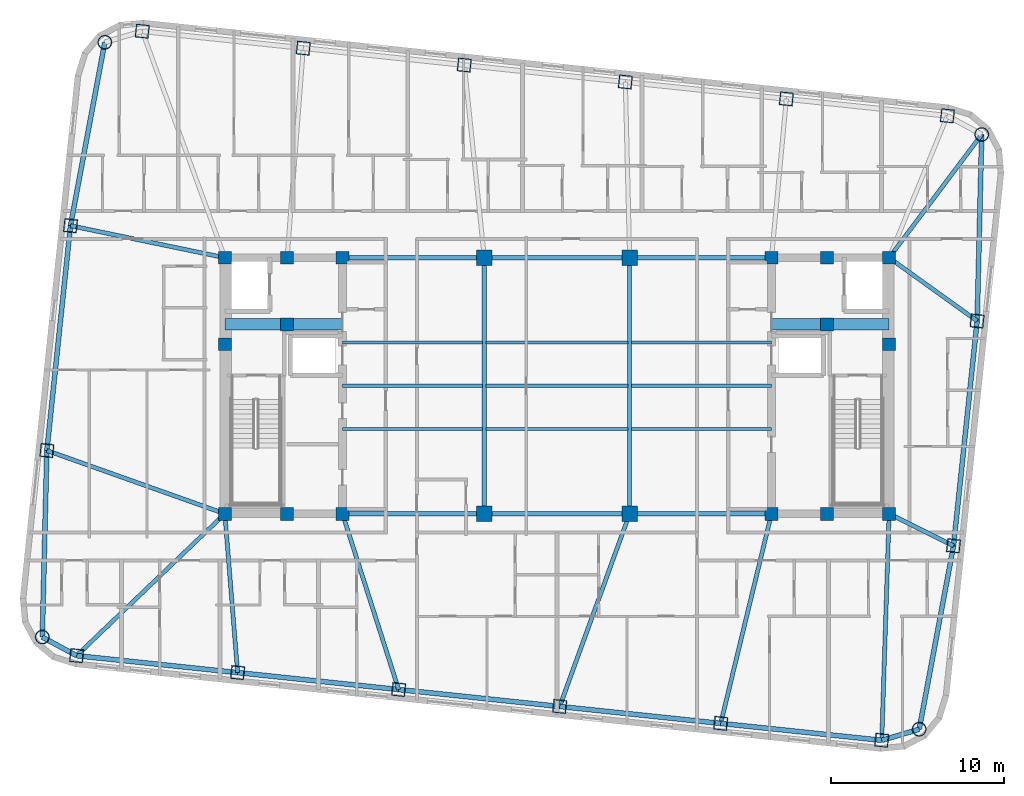
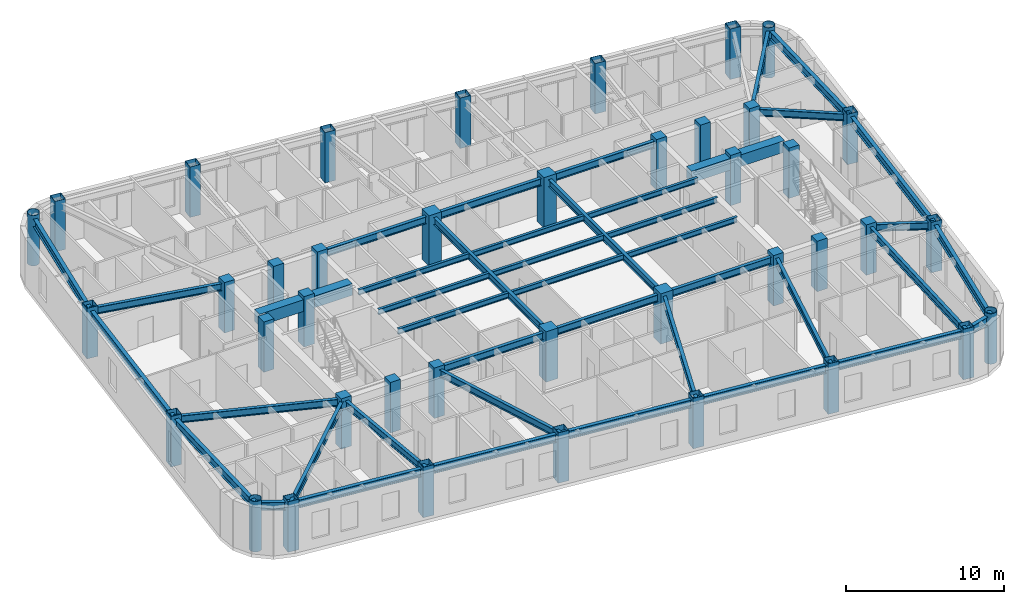
# One storey, part 1 of 11: 43 beams, 40 columns.
"""IFC4 building model written with IfcOpenShell, lengths in metres."""

from ifc_helpers import new_model, si_unit, direction, frame, origin, origin_2d, place, context, subcontext, project, spatial, rectangle, hollow_rectangle, hollow_circle, i_section, extrude, material, material_profile, profile_set, type_object, element, save


model = new_model("IFC4")

# Units and contexts
model_context = context("Model", 3, precision=1e-05, world=origin(), true_north=direction((0.0, 1.0)))
body_context = subcontext(model_context, "Body", "Model", "MODEL_VIEW")
ifc_project = project(units=[si_unit("LENGTHUNIT", "METRE"), si_unit("AREAUNIT", "SQUARE_METRE"), si_unit("VOLUMEUNIT", "CUBIC_METRE"), si_unit("PLANEANGLEUNIT", "RADIAN"), si_unit("MASSUNIT", "GRAM", prefix="KILO")], contexts=[model_context])

# Site, building, storey
site_placement = place(None, origin())
site = spatial("IfcSite", under=ifc_project, at=site_placement, CompositionType="ELEMENT")
building_placement = place(site_placement, origin())
building = spatial("IfcBuilding", under=site, at=building_placement, Name="Voryun Gate Residences", CompositionType="ELEMENT")
storey_placement = place(building_placement, frame((0.0, 0.0, 299.0)))
storey = spatial("IfcBuildingStorey", under=building, at=storey_placement, Name="L74", CompositionType="ELEMENT", Elevation=299.0)

# Columns
ifc_material_1 = material(Name="Concrete C50/60", Category="concrete")
ifc_material_profile_1 = material_profile(ifc_material_1, rectangle(XDim=0.75, YDim=0.75, at=origin_2d()), Name="RC-750x750")
ifc_profile_set_1 = profile_set([ifc_material_profile_1], Name="Concrete C50/60")
column_type_1 = type_object("IfcColumnType", Name="COL_CORE_750", PredefinedType="COLUMN", material=ifc_profile_set_1)
for number, where, z_axis, x_axis, name in (
    (1, (-19.199951171875, -7.39990234375, 0.0), (0.0, 0.0, 1.0), (1.0, 0.0, 0.0), "L74 Core boundary column WC-SW"),
    (2, (-19.199951171875, 2.39990234375, 0.0), (0.0, 0.0, 1.0), (1.0, 0.0, 0.0), "L74 Core boundary column WC-MW"),
    (3, (-19.199951171875, 7.39990234375, 0.0), (0.0, 0.0, 1.0), (1.0, 0.0, 0.0), "L74 Core boundary column WC-NW"),
    (4, (-15.60009765625, -7.39990234375, 0.0), (0.0, 0.0, 1.0), (1.0, 0.0, 0.0), "L74 Core boundary column WC-SM"),
    (5, (-15.60009765625, 7.39990234375, 0.0), (0.0, 0.0, 1.0), (1.0, 0.0, 0.0), "L74 Core boundary column WC-NM"),
    (6, (-12.39990234375, -7.39990234375, 0.0), (0.0, 0.0, 1.0), (1.0, 0.0, 0.0), "L74 Core boundary column WC-SE"),
    (7, (-15.60009765625, 3.550048828125, 0.0), (0.0, 0.0, 1.0), (1.0, 0.0, 0.0), "L74 Core boundary column WC-MM"),
    (8, (-12.39990234375, 7.39990234375, 0.0), (0.0, 0.0, 1.0), (1.0, 0.0, 0.0), "L74 Core boundary column WC-NE"),
    (9, (12.39990234375, -7.39990234375, 0.0), (0.0, 0.0, 1.0), (1.0, 0.0, 0.0), "L74 Core boundary column EC-SW"),
    (10, (15.60009765625, 3.550048828125, 0.0), (0.0, 0.0, 1.0), (1.0, 0.0, 0.0), "L74 Core boundary column EC-MM"),
    (11, (12.39990234375, 7.39990234375, 0.0), (0.0, 0.0, 1.0), (1.0, 0.0, 0.0), "L74 Core boundary column EC-NW"),
    (12, (15.60009765625, -7.39990234375, 0.0), (0.0, 0.0, 1.0), (1.0, 0.0, 0.0), "L74 Core boundary column EC-SM"),
    (13, (15.60009765625, 7.39990234375, 0.0), (0.0, 0.0, 1.0), (1.0, 0.0, 0.0), "L74 Core boundary column EC-NM"),
    (14, (19.199951171875, -7.39990234375, 0.0), (0.0, 0.0, 1.0), (1.0, 0.0, 0.0), "L74 Core boundary column EC-SE"),
    (15, (19.199951171875, 2.39990234375, 0.0), (0.0, 0.0, 1.0), (1.0, 0.0, 0.0), "L74 Core boundary column EC-ME"),
    (16, (19.199951171875, 7.39990234375, 0.0), (0.0, 0.0, 1.0), (1.0, 0.0, 0.0), "L74 Core boundary column EC-NE"),
):
    element("IfcColumn", number, at=place(storey_placement, frame(where, z_axis=z_axis, x_axis=x_axis)), inside=storey, type_object=column_type_1, Name=name, PredefinedType="COLUMN", context=body_context, shape_type="SweptSolid", body=[
        extrude(rectangle(XDim=0.75, YDim=0.75, at=origin_2d()), origin(), (0.0, 0.0, 1.0), 3.89990234375),
    ])
ifc_material_2 = material(Name="Concrete C50/60", Category="concrete")
ifc_material_profile_2 = material_profile(ifc_material_2, rectangle(XDim=0.89990234375, YDim=0.89990234375, at=origin_2d()), Name="RC-900x900")
ifc_profile_set_2 = profile_set([ifc_material_profile_2], Name="Concrete C50/60")
column_type_2 = type_object("IfcColumnType", Name="COL_CORE_900", PredefinedType="COLUMN", material=ifc_profile_set_2)
for number, where, z_axis, x_axis, name in (
    (17, (-4.199951171875, -7.39990234375, 0.0), (0.0, 0.0, 1.0), (1.0, 0.0, 0.0), "L74 Interior spine column SP-WS"),
    (18, (-4.199951171875, 7.39990234375, 0.0), (0.0, 0.0, 1.0), (1.0, 0.0, 0.0), "L74 Interior spine column SP-WN"),
    (19, (4.199951171875, -7.39990234375, 0.0), (0.0, 0.0, 1.0), (1.0, 0.0, 0.0), "L74 Interior spine column SP-ES"),
    (20, (4.199951171875, 7.39990234375, 0.0), (0.0, 0.0, 1.0), (1.0, 0.0, 0.0), "L74 Interior spine column SP-EN"),
):
    element("IfcColumn", number, at=place(storey_placement, frame(where, z_axis=z_axis, x_axis=x_axis)), inside=storey, type_object=column_type_2, Name=name, PredefinedType="COLUMN", context=body_context, shape_type="SweptSolid", body=[
        extrude(rectangle(XDim=0.89990234375, YDim=0.89990234375, at=origin_2d()), origin(), (0.0, 0.0, 1.0), 3.89990234375),
    ])
ifc_material_3 = material(Name="Steel SM355", Category="steel")
ifc_material_profile_3 = material_profile(ifc_material_3, hollow_circle(Radius=0.39990234375, WallThickness=0.028076171875, at=origin_2d()), Name="CHS-800x28")
ifc_profile_set_3 = profile_set([ifc_material_profile_3], Name="Steel SM355")
column_type_3 = type_object("IfcColumnType", Name="COL_CRN_800", PredefinedType="COLUMN", material=ifc_profile_set_3)
for number, where, z_axis, x_axis, name in (
    (21, (20.939453125, -19.855224609375, 0.0), (0.0, 0.0, 1.0), (0.994521895368, -0.104528463268, 0.0), "L74 Exoskeleton column CSE"),
    (22, (24.55322265625, 14.52734375, 0.0), (0.0, 0.0, 1.0), (0.994521895368, -0.104528463268, 0.0), "L74 Exoskeleton column CNE"),
    (23, (-26.139404296875, 19.855224609375, 0.0), (0.0, 0.0, 1.0), (0.994521895368, -0.104528463268, 0.0), "L74 Exoskeleton column CNW"),
    (24, (-29.753173828125, -14.52734375, 0.0), (0.0, 0.0, 1.0), (0.994521895368, -0.104528463268, 0.0), "L74 Exoskeleton column CSW"),
):
    element("IfcColumn", number, at=place(storey_placement, frame(where, z_axis=z_axis, x_axis=x_axis)), inside=storey, type_object=column_type_3, Name=name, PredefinedType="COLUMN", context=body_context, shape_type="SweptSolid", body=[
        extrude(hollow_circle(Radius=0.39990234375, WallThickness=0.028076171875, at=origin_2d()), origin(), (0.0, 0.0, 1.0), 3.89990234375),
    ])
ifc_material_4 = material(Name="Steel SM355", Category="steel")
ifc_material_profile_4 = material_profile(ifc_material_4, hollow_rectangle(XDim=0.75, YDim=0.75, WallThickness=0.02490234375, at=origin_2d()), Name="BOX-750x750x25")
ifc_profile_set_4 = profile_set([ifc_material_profile_4], Name="Steel SM355")
column_type_4 = type_object("IfcColumnType", Name="COL_EXO_B5", PredefinedType="COLUMN", material=ifc_profile_set_4)
for number, where, z_axis, x_axis, name in (
    (25, (-27.76904296875, -15.6044921875, 0.0), (0.0, 0.0, 1.0), (0.994521895368, -0.104528463268, 0.0), "L74 Exoskeleton column S1"),
    (26, (-18.460205078125, -16.5830078125, 0.0), (0.0, 0.0, 1.0), (0.994521895368, -0.104528463268, 0.0), "L74 Exoskeleton column S2"),
    (27, (-9.151611328125, -17.561279296875, 0.0), (0.0, 0.0, 1.0), (0.994521895368, -0.104528463268, 0.0), "L74 Exoskeleton column S3"),
    (28, (0.1572265625, -18.539794921875, 0.0), (0.0, 0.0, 1.0), (0.994521895368, -0.104528463268, 0.0), "L74 Exoskeleton column S4"),
    (29, (9.4658203125, -19.51806640625, 0.0), (0.0, 0.0, 1.0), (0.994521895368, -0.104528463268, 0.0), "L74 Exoskeleton column S5"),
    (30, (18.774658203125, -20.49658203125, 0.0), (0.0, 0.0, 1.0), (0.994521895368, -0.104528463268, 0.0), "L74 Exoskeleton column S6"),
    (31, (22.922607421875, -9.25244140625, 0.0), (0.0, 0.0, 1.0), (0.994521895368, -0.104528463268, 0.0), "L74 Exoskeleton column E1"),
    (32, (24.28857421875, 3.743896484375, 0.0), (0.0, 0.0, 1.0), (0.994521895368, -0.104528463268, 0.0), "L74 Exoskeleton column E2"),
    (33, (22.569091796875, 15.6044921875, 0.0), (0.0, 0.0, 1.0), (0.994521895368, -0.104528463268, 0.0), "L74 Exoskeleton column N1"),
    (34, (13.26025390625, 16.5830078125, 0.0), (0.0, 0.0, 1.0), (0.994521895368, -0.104528463268, 0.0), "L74 Exoskeleton column N2"),
    (35, (3.95166015625, 17.561279296875, 0.0), (0.0, 0.0, 1.0), (0.994521895368, -0.104528463268, 0.0), "L74 Exoskeleton column N3"),
    (36, (-5.357177734375, 18.539794921875, 0.0), (0.0, 0.0, 1.0), (0.994521895368, -0.104528463268, 0.0), "L74 Exoskeleton column N4"),
    (37, (-14.666015625, 19.51806640625, 0.0), (0.0, 0.0, 1.0), (0.994521895368, -0.104528463268, 0.0), "L74 Exoskeleton column N5"),
    (38, (-23.974609375, 20.49658203125, 0.0), (0.0, 0.0, 1.0), (0.994521895368, -0.104528463268, 0.0), "L74 Exoskeleton column N6"),
    (39, (-28.12255859375, 9.25244140625, 0.0), (0.0, 0.0, 1.0), (0.994521895368, -0.104528463268, 0.0), "L74 Exoskeleton column W1"),
    (40, (-29.488525390625, -3.743896484375, 0.0), (0.0, 0.0, 1.0), (0.994521895368, -0.104528463268, 0.0), "L74 Exoskeleton column W2"),
):
    element("IfcColumn", number, at=place(storey_placement, frame(where, z_axis=z_axis, x_axis=x_axis)), inside=storey, type_object=column_type_4, Name=name, PredefinedType="COLUMN", context=body_context, shape_type="SweptSolid", body=[
        extrude(hollow_rectangle(XDim=0.75, YDim=0.75, WallThickness=0.02490234375, at=origin_2d()), origin(), (0.0, 0.0, 1.0), 3.89990234375),
    ])

# Beams
ifc_material_5 = material(Name="Concrete C60/75", Category="concrete")
ifc_material_profile_5 = material_profile(ifc_material_5, rectangle(XDim=0.64990234375, YDim=0.89990234375, at=origin_2d()), Name="RC-650x900")
ifc_profile_set_5 = profile_set([ifc_material_profile_5], Name="Concrete C60/75")
beam_type_1 = type_object("IfcBeamType", Name="BM_COUP_RC900", PredefinedType="LINTEL", material=ifc_profile_set_5)
for number, where, z_axis, x_axis, name in (
    (41, (-19.199951171875, 3.550048828125, 3.18505859375), (1.0, 0.0, 0.0), (0.0, 1.0, 0.0), "BM-L74-WC1"),
    (42, (12.39990234375, 3.550048828125, 3.18505859375), (1.0, 0.0, 0.0), (0.0, 1.0, 0.0), "BM-L74-EC1"),
):
    element("IfcBeam", number, at=place(storey_placement, frame(where, z_axis=z_axis, x_axis=x_axis)), inside=storey, type_object=beam_type_1, Name=name, PredefinedType="LINTEL", context=body_context, shape_type="SweptSolid", body=[
        extrude(rectangle(XDim=0.64990234375, YDim=0.89990234375, at=origin_2d()), origin(), (0.0, 0.0, 1.0), 6.800048828125),
    ])
ifc_material_6 = material(Name="Steel SM355", Category="steel")
ifc_material_profile_6 = material_profile(ifc_material_6, i_section(OverallWidth=0.280029296875, OverallDepth=0.6201171875, WebThickness=0.013916015625, FlangeThickness=0.02197265625, FilletRadius=0.01806640625, at=origin_2d()), Name="H-620x280x14x22")
ifc_profile_set_6 = profile_set([ifc_material_profile_6], Name="Steel SM355")
beam_type_2 = type_object("IfcBeamType", Name="BM_EXO_SPANDREL_H", PredefinedType="SPANDREL", material=ifc_profile_set_6)
beam_1_placement = place(storey_placement, frame((-27.76904296875, -15.6044921875, 3.324951171875), z_axis=(0.994520592114, -0.104540862157, 0.0), x_axis=(0.104540862157, 0.994520592114, 0.0)))
element("IfcBeam", 43, at=beam_1_placement, inside=storey, type_object=beam_type_2, Name="BM-L74-SPAND-01", PredefinedType="SPANDREL", context=body_context, shape_type="SweptSolid", body=[
    extrude(i_section(OverallWidth=0.280029296875, OverallDepth=0.6201171875, WebThickness=0.013916015625, FlangeThickness=0.02197265625, FilletRadius=0.01806640625, at=origin_2d()), origin(), (0.0, 0.0, 1.0), 9.360107421875),
])
beam_2_placement = place(storey_placement, frame((-18.460205078125, -16.5830078125, 3.324951171875), z_axis=(0.994523018663, -0.104517775278, 0.0), x_axis=(0.104517775278, 0.994523018663, 0.0)))
element("IfcBeam", 44, at=beam_2_placement, inside=storey, type_object=beam_type_2, Name="BM-L74-SPAND-02", PredefinedType="SPANDREL", context=body_context, shape_type="SweptSolid", body=[
    extrude(i_section(OverallWidth=0.280029296875, OverallDepth=0.6201171875, WebThickness=0.013916015625, FlangeThickness=0.02197265625, FilletRadius=0.01806640625, at=origin_2d()), origin(), (0.0, 0.0, 1.0), 9.35986328125),
])
beam_3_placement = place(storey_placement, frame((-9.151611328125, -17.561279296875, 3.324951171875), z_axis=(0.994520592114, -0.104540862157, 0.0), x_axis=(0.104540862157, 0.994520592114, 0.0)))
element("IfcBeam", 45, at=beam_3_placement, inside=storey, type_object=beam_type_2, Name="BM-L74-SPAND-03", PredefinedType="SPANDREL", context=body_context, shape_type="SweptSolid", body=[
    extrude(i_section(OverallWidth=0.280029296875, OverallDepth=0.6201171875, WebThickness=0.013916015625, FlangeThickness=0.02197265625, FilletRadius=0.01806640625, at=origin_2d()), origin(), (0.0, 0.0, 1.0), 9.360107421875),
])
beam_4_placement = place(storey_placement, frame((0.1572265625, -18.539794921875, 3.324951171875), z_axis=(0.994523018663, -0.104517775278, 0.0), x_axis=(0.104517775278, 0.994523018663, 0.0)))
element("IfcBeam", 46, at=beam_4_placement, inside=storey, type_object=beam_type_2, Name="BM-L74-SPAND-04", PredefinedType="SPANDREL", context=body_context, shape_type="SweptSolid", body=[
    extrude(i_section(OverallWidth=0.280029296875, OverallDepth=0.6201171875, WebThickness=0.013916015625, FlangeThickness=0.02197265625, FilletRadius=0.01806640625, at=origin_2d()), origin(), (0.0, 0.0, 1.0), 9.35986328125),
])
beam_5_placement = place(storey_placement, frame((9.4658203125, -19.51806640625, 3.324951171875), z_axis=(0.994520592114, -0.104540862157, 0.0), x_axis=(0.104540862157, 0.994520592114, 0.0)))
element("IfcBeam", 47, at=beam_5_placement, inside=storey, type_object=beam_type_2, Name="BM-L74-SPAND-05", PredefinedType="SPANDREL", context=body_context, shape_type="SweptSolid", body=[
    extrude(i_section(OverallWidth=0.280029296875, OverallDepth=0.6201171875, WebThickness=0.013916015625, FlangeThickness=0.02197265625, FilletRadius=0.01806640625, at=origin_2d()), origin(), (0.0, 0.0, 1.0), 9.360107421875),
])
beam_6_placement = place(storey_placement, frame((18.774658203125, -20.49658203125, 3.324951171875), z_axis=(0.958805748412, 0.28406255792, 0.0), x_axis=(-0.28406255792, 0.958805748412, 0.0)))
element("IfcBeam", 48, at=beam_6_placement, inside=storey, type_object=beam_type_2, Name="BM-L74-SPAND-06", PredefinedType="SPANDREL", context=body_context, shape_type="SweptSolid", body=[
    extrude(i_section(OverallWidth=0.280029296875, OverallDepth=0.6201171875, WebThickness=0.013916015625, FlangeThickness=0.02197265625, FilletRadius=0.01806640625, at=origin_2d()), origin(), (0.0, 0.0, 1.0), 2.2578125),
])
beam_7_placement = place(storey_placement, frame((20.939453125, -19.855224609375, 3.324951171875), z_axis=(0.183852585596, 0.982953827384, 0.0), x_axis=(-0.982953827384, 0.183852585596, 0.0)))
element("IfcBeam", 49, at=beam_7_placement, inside=storey, type_object=beam_type_2, Name="BM-L74-SPAND-07", PredefinedType="SPANDREL", context=body_context, shape_type="SweptSolid", body=[
    extrude(i_section(OverallWidth=0.280029296875, OverallDepth=0.6201171875, WebThickness=0.013916015625, FlangeThickness=0.02197265625, FilletRadius=0.01806640625, at=origin_2d()), origin(), (0.0, 0.0, 1.0), 10.78662109375),
])
beam_8_placement = place(storey_placement, frame((22.922607421875, -9.25244140625, 3.324951171875), z_axis=(0.104528209082, 0.994521922084, 0.0), x_axis=(-0.994521922084, 0.104528209082, 0.0)))
element("IfcBeam", 50, at=beam_8_placement, inside=storey, type_object=beam_type_2, Name="BM-L74-SPAND-08", PredefinedType="SPANDREL", context=body_context, shape_type="SweptSolid", body=[
    extrude(i_section(OverallWidth=0.280029296875, OverallDepth=0.6201171875, WebThickness=0.013916015625, FlangeThickness=0.02197265625, FilletRadius=0.01806640625, at=origin_2d()), origin(), (0.0, 0.0, 1.0), 13.06787109375),
])
for number, where, z_axis, x_axis, name in (
    (51, (24.28857421875, 3.743896484375, 3.324951171875), (0.024534711967, 0.999698978647, 0.0), (-0.999698978647, 0.024534711967, 0.0), "BM-L74-SPAND-09"),
    (52, (-26.139404296875, 19.855224609375, 3.324951171875), (-0.183852585596, -0.982953827384, 0.0), (0.982953827384, -0.183852585596, 0.0), "BM-L74-SPAND-17"),
):
    element("IfcBeam", number, at=place(storey_placement, frame(where, z_axis=z_axis, x_axis=x_axis)), inside=storey, type_object=beam_type_2, Name=name, PredefinedType="SPANDREL", context=body_context, shape_type="SweptSolid", body=[
        extrude(i_section(OverallWidth=0.280029296875, OverallDepth=0.6201171875, WebThickness=0.013916015625, FlangeThickness=0.02197265625, FilletRadius=0.01806640625, at=origin_2d()), origin(), (0.0, 0.0, 1.0), 10.78662109375),
    ])
beam_9_placement = place(storey_placement, frame((-28.12255859375, 9.25244140625, 3.324951171875), z_axis=(-0.104528209082, -0.994521922084, 0.0), x_axis=(0.994521922084, -0.104528209082, 0.0)))
element("IfcBeam", 53, at=beam_9_placement, inside=storey, type_object=beam_type_2, Name="BM-L74-SPAND-18", PredefinedType="SPANDREL", context=body_context, shape_type="SweptSolid", body=[
    extrude(i_section(OverallWidth=0.280029296875, OverallDepth=0.6201171875, WebThickness=0.013916015625, FlangeThickness=0.02197265625, FilletRadius=0.01806640625, at=origin_2d()), origin(), (0.0, 0.0, 1.0), 13.06787109375),
])
beam_10_placement = place(storey_placement, frame((-29.488525390625, -3.743896484375, 3.324951171875), z_axis=(-0.024534711967, -0.999698978647, 0.0), x_axis=(0.999698978647, -0.024534711967, 0.0)))
element("IfcBeam", 54, at=beam_10_placement, inside=storey, type_object=beam_type_2, Name="BM-L74-SPAND-19", PredefinedType="SPANDREL", context=body_context, shape_type="SweptSolid", body=[
    extrude(i_section(OverallWidth=0.280029296875, OverallDepth=0.6201171875, WebThickness=0.013916015625, FlangeThickness=0.02197265625, FilletRadius=0.01806640625, at=origin_2d()), origin(), (0.0, 0.0, 1.0), 10.78662109375),
])
beam_11_placement = place(storey_placement, frame((-29.753173828125, -14.52734375, 3.324951171875), z_axis=(0.878844363117, -0.477108567746, 0.0), x_axis=(0.477108567746, 0.878844363117, 0.0)))
element("IfcBeam", 55, at=beam_11_placement, inside=storey, type_object=beam_type_2, Name="BM-L74-SPAND-20", PredefinedType="SPANDREL", context=body_context, shape_type="SweptSolid", body=[
    extrude(i_section(OverallWidth=0.280029296875, OverallDepth=0.6201171875, WebThickness=0.013916015625, FlangeThickness=0.02197265625, FilletRadius=0.01806640625, at=origin_2d()), origin(), (0.0, 0.0, 1.0), 2.257568359375),
])
ifc_material_7 = material(Name="Steel SM355", Category="steel")
ifc_material_profile_7 = material_profile(ifc_material_7, i_section(OverallWidth=0.239990234375, OverallDepth=0.550048828125, WebThickness=0.011962890625, FlangeThickness=0.02001953125, FilletRadius=0.01806640625, at=origin_2d()), Name="H-550x240x12x20")
ifc_profile_set_7 = profile_set([ifc_material_profile_7], Name="Steel SM355")
beam_type_3 = type_object("IfcBeamType", Name="BM_GIRD_550", PredefinedType="USERDEFINED", material=ifc_profile_set_7)
beam_12_placement = place(storey_placement, frame((-12.39990234375, -7.39990234375, 3.360107421875), z_axis=(1.0, 0.0, 0.0), x_axis=(0.0, 1.0, 0.0)))
element("IfcBeam", 56, at=beam_12_placement, inside=storey, type_object=beam_type_3, Name="BM-L74-SPG1-S", ObjectType="GIRDER", PredefinedType="USERDEFINED", context=body_context, shape_type="SweptSolid", body=[
    extrude(i_section(OverallWidth=0.239990234375, OverallDepth=0.550048828125, WebThickness=0.011962890625, FlangeThickness=0.02001953125, FilletRadius=0.01806640625, at=origin_2d()), origin(), (0.0, 0.0, 1.0), 8.199951171875),
])
beam_13_placement = place(storey_placement, frame((-4.199951171875, -7.39990234375, 3.360107421875), z_axis=(1.0, 0.0, 0.0), x_axis=(0.0, 1.0, 0.0)))
element("IfcBeam", 57, at=beam_13_placement, inside=storey, type_object=beam_type_3, Name="BM-L74-SPG2-S", ObjectType="GIRDER", PredefinedType="USERDEFINED", context=body_context, shape_type="SweptSolid", body=[
    extrude(i_section(OverallWidth=0.239990234375, OverallDepth=0.550048828125, WebThickness=0.011962890625, FlangeThickness=0.02001953125, FilletRadius=0.01806640625, at=origin_2d()), origin(), (0.0, 0.0, 1.0), 8.39990234375),
])
for number, where, z_axis, x_axis, name in (
    (58, (4.199951171875, -7.39990234375, 3.360107421875), (1.0, 0.0, 0.0), (0.0, 1.0, 0.0), "BM-L74-SPG3-S"),
    (59, (-12.39990234375, 7.39990234375, 3.360107421875), (1.0, 0.0, 0.0), (0.0, 1.0, 0.0), "BM-L74-SPG1-N"),
):
    element("IfcBeam", number, at=place(storey_placement, frame(where, z_axis=z_axis, x_axis=x_axis)), inside=storey, type_object=beam_type_3, Name=name, ObjectType="GIRDER", PredefinedType="USERDEFINED", context=body_context, shape_type="SweptSolid", body=[
        extrude(i_section(OverallWidth=0.239990234375, OverallDepth=0.550048828125, WebThickness=0.011962890625, FlangeThickness=0.02001953125, FilletRadius=0.01806640625, at=origin_2d()), origin(), (0.0, 0.0, 1.0), 8.199951171875),
    ])
beam_14_placement = place(storey_placement, frame((-4.199951171875, 7.39990234375, 3.360107421875), z_axis=(1.0, 0.0, 0.0), x_axis=(0.0, 1.0, 0.0)))
element("IfcBeam", 60, at=beam_14_placement, inside=storey, type_object=beam_type_3, Name="BM-L74-SPG2-N", ObjectType="GIRDER", PredefinedType="USERDEFINED", context=body_context, shape_type="SweptSolid", body=[
    extrude(i_section(OverallWidth=0.239990234375, OverallDepth=0.550048828125, WebThickness=0.011962890625, FlangeThickness=0.02001953125, FilletRadius=0.01806640625, at=origin_2d()), origin(), (0.0, 0.0, 1.0), 8.39990234375),
])
beam_15_placement = place(storey_placement, frame((4.199951171875, 7.39990234375, 3.360107421875), z_axis=(1.0, 0.0, 0.0), x_axis=(0.0, 1.0, 0.0)))
element("IfcBeam", 61, at=beam_15_placement, inside=storey, type_object=beam_type_3, Name="BM-L74-SPG3-N", ObjectType="GIRDER", PredefinedType="USERDEFINED", context=body_context, shape_type="SweptSolid", body=[
    extrude(i_section(OverallWidth=0.239990234375, OverallDepth=0.550048828125, WebThickness=0.011962890625, FlangeThickness=0.02001953125, FilletRadius=0.01806640625, at=origin_2d()), origin(), (0.0, 0.0, 1.0), 8.199951171875),
])
for number, where, z_axis, x_axis, name in (
    (62, (-4.199951171875, -7.39990234375, 3.360107421875), (0.0, 1.0, 0.0), (-1.0, 0.0, 0.0), "BM-L74-SPX-W"),
    (63, (4.199951171875, -7.39990234375, 3.360107421875), (0.0, 1.0, 0.0), (-1.0, 0.0, 0.0), "BM-L74-SPX-E"),
):
    element("IfcBeam", number, at=place(storey_placement, frame(where, z_axis=z_axis, x_axis=x_axis)), inside=storey, type_object=beam_type_3, Name=name, ObjectType="GIRDER", PredefinedType="USERDEFINED", context=body_context, shape_type="SweptSolid", body=[
        extrude(i_section(OverallWidth=0.239990234375, OverallDepth=0.550048828125, WebThickness=0.011962890625, FlangeThickness=0.02001953125, FilletRadius=0.01806640625, at=origin_2d()), origin(), (0.0, 0.0, 1.0), 14.7998046875),
    ])
beam_16_placement = place(storey_placement, frame((-19.199951171875, -7.39990234375, 3.360107421875), z_axis=(-0.722302104769, -0.691577666966, 0.0), x_axis=(0.691577666966, -0.722302104769, 0.0)))
element("IfcBeam", 64, at=beam_16_placement, inside=storey, type_object=beam_type_3, Name="BM-L74-RAD-S1", ObjectType="GIRDER", PredefinedType="USERDEFINED", context=body_context, shape_type="SweptSolid", body=[
    extrude(i_section(OverallWidth=0.239990234375, OverallDepth=0.550048828125, WebThickness=0.011962890625, FlangeThickness=0.02001953125, FilletRadius=0.01806640625, at=origin_2d()), origin(), (0.0, 0.0, 1.0), 11.863525390625),
])
beam_17_placement = place(storey_placement, frame((-19.199951171875, -7.39990234375, 3.360107421875), z_axis=(0.080295011504, -0.996771142804, 0.0), x_axis=(0.996771142804, 0.080295011504, 0.0)))
element("IfcBeam", 65, at=beam_17_placement, inside=storey, type_object=beam_type_3, Name="BM-L74-RAD-S2", ObjectType="GIRDER", PredefinedType="USERDEFINED", context=body_context, shape_type="SweptSolid", body=[
    extrude(i_section(OverallWidth=0.239990234375, OverallDepth=0.550048828125, WebThickness=0.011962890625, FlangeThickness=0.02001953125, FilletRadius=0.01806640625, at=origin_2d()), origin(), (0.0, 0.0, 1.0), 9.212890625),
])
beam_18_placement = place(storey_placement, frame((-12.39990234375, -7.39990234375, 3.360107421875), z_axis=(0.30449089095, -0.952515247819, 0.0), x_axis=(0.952515247819, 0.30449089095, 0.0)))
element("IfcBeam", 66, at=beam_18_placement, inside=storey, type_object=beam_type_3, Name="BM-L74-RAD-S3", ObjectType="GIRDER", PredefinedType="USERDEFINED", context=body_context, shape_type="SweptSolid", body=[
    extrude(i_section(OverallWidth=0.239990234375, OverallDepth=0.550048828125, WebThickness=0.011962890625, FlangeThickness=0.02001953125, FilletRadius=0.01806640625, at=origin_2d()), origin(), (0.0, 0.0, 1.0), 10.66796875),
])
beam_19_placement = place(storey_placement, frame((4.199951171875, -7.39990234375, 3.360107421875), z_axis=(-0.341135931896, -0.940013976476, 0.0), x_axis=(0.940013976476, -0.341135931896, 0.0)))
element("IfcBeam", 67, at=beam_19_placement, inside=storey, type_object=beam_type_3, Name="BM-L74-RAD-S4", ObjectType="GIRDER", PredefinedType="USERDEFINED", context=body_context, shape_type="SweptSolid", body=[
    extrude(i_section(OverallWidth=0.239990234375, OverallDepth=0.550048828125, WebThickness=0.011962890625, FlangeThickness=0.02001953125, FilletRadius=0.01806640625, at=origin_2d()), origin(), (0.0, 0.0, 1.0), 11.850830078125),
])
beam_20_placement = place(storey_placement, frame((12.39990234375, -7.39990234375, 3.360107421875), z_axis=(-0.235323166357, -0.971917181336, 0.0), x_axis=(0.971917181336, -0.235323166357, 0.0)))
element("IfcBeam", 68, at=beam_20_placement, inside=storey, type_object=beam_type_3, Name="BM-L74-RAD-S5", ObjectType="GIRDER", PredefinedType="USERDEFINED", context=body_context, shape_type="SweptSolid", body=[
    extrude(i_section(OverallWidth=0.239990234375, OverallDepth=0.550048828125, WebThickness=0.011962890625, FlangeThickness=0.02001953125, FilletRadius=0.01806640625, at=origin_2d()), origin(), (0.0, 0.0, 1.0), 12.46826171875),
])
beam_21_placement = place(storey_placement, frame((19.199951171875, -7.39990234375, 3.360107421875), z_axis=(-0.032456234446, -0.999473157641, 0.0), x_axis=(0.999473157641, -0.032456234446, 0.0)))
element("IfcBeam", 69, at=beam_21_placement, inside=storey, type_object=beam_type_3, Name="BM-L74-RAD-S6", ObjectType="GIRDER", PredefinedType="USERDEFINED", context=body_context, shape_type="SweptSolid", body=[
    extrude(i_section(OverallWidth=0.239990234375, OverallDepth=0.550048828125, WebThickness=0.011962890625, FlangeThickness=0.02001953125, FilletRadius=0.01806640625, at=origin_2d()), origin(), (0.0, 0.0, 1.0), 13.103515625),
])
beam_22_placement = place(storey_placement, frame((19.199951171875, -7.39990234375, 3.360107421875), z_axis=(0.895271074172, -0.445521833081, 0.0), x_axis=(0.445521833081, 0.895271074172, 0.0)))
element("IfcBeam", 70, at=beam_22_placement, inside=storey, type_object=beam_type_3, Name="BM-L74-RAD-E1", ObjectType="GIRDER", PredefinedType="USERDEFINED", context=body_context, shape_type="SweptSolid", body=[
    extrude(i_section(OverallWidth=0.239990234375, OverallDepth=0.550048828125, WebThickness=0.011962890625, FlangeThickness=0.02001953125, FilletRadius=0.01806640625, at=origin_2d()), origin(), (0.0, 0.0, 1.0), 4.158203125),
])
beam_23_placement = place(storey_placement, frame((19.199951171875, 7.39990234375, 3.360107421875), z_axis=(0.81212442094, -0.583484297058, 0.0), x_axis=(0.583484297058, 0.81212442094, 0.0)))
element("IfcBeam", 71, at=beam_23_placement, inside=storey, type_object=beam_type_3, Name="BM-L74-RAD-E2", ObjectType="GIRDER", PredefinedType="USERDEFINED", context=body_context, shape_type="SweptSolid", body=[
    extrude(i_section(OverallWidth=0.239990234375, OverallDepth=0.550048828125, WebThickness=0.011962890625, FlangeThickness=0.02001953125, FilletRadius=0.01806640625, at=origin_2d()), origin(), (0.0, 0.0, 1.0), 6.265869140625),
])
beam_24_placement = place(storey_placement, frame((19.199951171875, 7.39990234375, 3.360107421875), z_axis=(0.60055201327, 0.799585692316, 0.0), x_axis=(-0.799585692316, 0.60055201327, 0.0)))
element("IfcBeam", 72, at=beam_24_placement, inside=storey, type_object=beam_type_3, Name="BM-L74-RAD-CNE", ObjectType="GIRDER", PredefinedType="USERDEFINED", context=body_context, shape_type="SweptSolid", body=[
    extrude(i_section(OverallWidth=0.239990234375, OverallDepth=0.550048828125, WebThickness=0.011962890625, FlangeThickness=0.02001953125, FilletRadius=0.01806640625, at=origin_2d()), origin(), (0.0, 0.0, 1.0), 8.913818359375),
])
beam_25_placement = place(storey_placement, frame((-19.199951171875, 7.39990234375, 3.360107421875), z_axis=(-0.979119049711, 0.203287693907, 0.0), x_axis=(-0.203287693907, -0.979119049711, 0.0)))
element("IfcBeam", 73, at=beam_25_placement, inside=storey, type_object=beam_type_3, Name="BM-L74-RAD-W1", ObjectType="GIRDER", PredefinedType="USERDEFINED", context=body_context, shape_type="SweptSolid", body=[
    extrude(i_section(OverallWidth=0.239990234375, OverallDepth=0.550048828125, WebThickness=0.011962890625, FlangeThickness=0.02001953125, FilletRadius=0.01806640625, at=origin_2d()), origin(), (0.0, 0.0, 1.0), 9.11279296875),
])
beam_26_placement = place(storey_placement, frame((-19.199951171875, -7.39990234375, 3.360107421875), z_axis=(-0.942276939669, 0.334834539688, 0.0), x_axis=(-0.334834539688, -0.942276939669, 0.0)))
element("IfcBeam", 74, at=beam_26_placement, inside=storey, type_object=beam_type_3, Name="BM-L74-RAD-W2", ObjectType="GIRDER", PredefinedType="USERDEFINED", context=body_context, shape_type="SweptSolid", body=[
    extrude(i_section(OverallWidth=0.239990234375, OverallDepth=0.550048828125, WebThickness=0.011962890625, FlangeThickness=0.02001953125, FilletRadius=0.01806640625, at=origin_2d()), origin(), (0.0, 0.0, 1.0), 10.9189453125),
])
ifc_material_8 = material(Name="Steel SM355", Category="steel")
ifc_material_profile_8 = material_profile(ifc_material_8, i_section(OverallWidth=0.18994140625, OverallDepth=0.419921875, WebThickness=0.009033203125, FlangeThickness=0.01611328125, FilletRadius=0.01806640625, at=origin_2d()), Name="H-420x190x9x16")
ifc_profile_set_8 = profile_set([ifc_material_profile_8], Name="Steel SM355")
beam_type_4 = type_object("IfcBeamType", Name="BM_SEC_420", PredefinedType="BEAM", material=ifc_profile_set_8)
beam_27_placement = place(storey_placement, frame((-12.39990234375, -2.5, 3.425048828125), z_axis=(1.0, 0.0, 0.0), x_axis=(0.0, 1.0, 0.0)))
element("IfcBeam", 75, at=beam_27_placement, inside=storey, type_object=beam_type_4, Name="BM-L74-SEC-CS1", PredefinedType="BEAM", context=body_context, shape_type="SweptSolid", body=[
    extrude(i_section(OverallWidth=0.18994140625, OverallDepth=0.419921875, WebThickness=0.009033203125, FlangeThickness=0.01611328125, FilletRadius=0.01806640625, at=origin_2d()), origin(), (0.0, 0.0, 1.0), 8.099853515625),
])
beam_28_placement = place(storey_placement, frame((-4.10009765625, -2.5, 3.425048828125), z_axis=(1.0, 0.0, 0.0), x_axis=(0.0, 1.0, 0.0)))
element("IfcBeam", 76, at=beam_28_placement, inside=storey, type_object=beam_type_4, Name="BM-L74-SEC-CS2", PredefinedType="BEAM", context=body_context, shape_type="SweptSolid", body=[
    extrude(i_section(OverallWidth=0.18994140625, OverallDepth=0.419921875, WebThickness=0.009033203125, FlangeThickness=0.01611328125, FilletRadius=0.01806640625, at=origin_2d()), origin(), (0.0, 0.0, 1.0), 8.2001953125),
])
for number, where, z_axis, x_axis, name in (
    (77, (4.300048828125, -2.5, 3.425048828125), (1.0, 0.0, 0.0), (0.0, 1.0, 0.0), "BM-L74-SEC-CS3"),
    (78, (-12.39990234375, 0.0, 3.425048828125), (1.0, 0.0, 0.0), (0.0, 1.0, 0.0), "BM-L74-SEC-CM1"),
):
    element("IfcBeam", number, at=place(storey_placement, frame(where, z_axis=z_axis, x_axis=x_axis)), inside=storey, type_object=beam_type_4, Name=name, PredefinedType="BEAM", context=body_context, shape_type="SweptSolid", body=[
        extrude(i_section(OverallWidth=0.18994140625, OverallDepth=0.419921875, WebThickness=0.009033203125, FlangeThickness=0.01611328125, FilletRadius=0.01806640625, at=origin_2d()), origin(), (0.0, 0.0, 1.0), 8.099853515625),
    ])
beam_29_placement = place(storey_placement, frame((-4.10009765625, 0.0, 3.425048828125), z_axis=(1.0, 0.0, 0.0), x_axis=(0.0, 1.0, 0.0)))
element("IfcBeam", 79, at=beam_29_placement, inside=storey, type_object=beam_type_4, Name="BM-L74-SEC-CM2", PredefinedType="BEAM", context=body_context, shape_type="SweptSolid", body=[
    extrude(i_section(OverallWidth=0.18994140625, OverallDepth=0.419921875, WebThickness=0.009033203125, FlangeThickness=0.01611328125, FilletRadius=0.01806640625, at=origin_2d()), origin(), (0.0, 0.0, 1.0), 8.2001953125),
])
for number, where, z_axis, x_axis, name in (
    (80, (4.300048828125, 0.0, 3.425048828125), (1.0, 0.0, 0.0), (0.0, 1.0, 0.0), "BM-L74-SEC-CM3"),
    (81, (-12.39990234375, 2.5, 3.425048828125), (1.0, 0.0, 0.0), (0.0, 1.0, 0.0), "BM-L74-SEC-CN1"),
):
    element("IfcBeam", number, at=place(storey_placement, frame(where, z_axis=z_axis, x_axis=x_axis)), inside=storey, type_object=beam_type_4, Name=name, PredefinedType="BEAM", context=body_context, shape_type="SweptSolid", body=[
        extrude(i_section(OverallWidth=0.18994140625, OverallDepth=0.419921875, WebThickness=0.009033203125, FlangeThickness=0.01611328125, FilletRadius=0.01806640625, at=origin_2d()), origin(), (0.0, 0.0, 1.0), 8.099853515625),
    ])
beam_30_placement = place(storey_placement, frame((-4.10009765625, 2.5, 3.425048828125), z_axis=(1.0, 0.0, 0.0), x_axis=(0.0, 1.0, 0.0)))
element("IfcBeam", 82, at=beam_30_placement, inside=storey, type_object=beam_type_4, Name="BM-L74-SEC-CN2", PredefinedType="BEAM", context=body_context, shape_type="SweptSolid", body=[
    extrude(i_section(OverallWidth=0.18994140625, OverallDepth=0.419921875, WebThickness=0.009033203125, FlangeThickness=0.01611328125, FilletRadius=0.01806640625, at=origin_2d()), origin(), (0.0, 0.0, 1.0), 8.2001953125),
])
beam_31_placement = place(storey_placement, frame((4.300048828125, 2.5, 3.425048828125), z_axis=(1.0, 0.0, 0.0), x_axis=(0.0, 1.0, 0.0)))
element("IfcBeam", 83, at=beam_31_placement, inside=storey, type_object=beam_type_4, Name="BM-L74-SEC-CN3", PredefinedType="BEAM", context=body_context, shape_type="SweptSolid", body=[
    extrude(i_section(OverallWidth=0.18994140625, OverallDepth=0.419921875, WebThickness=0.009033203125, FlangeThickness=0.01611328125, FilletRadius=0.01806640625, at=origin_2d()), origin(), (0.0, 0.0, 1.0), 8.099853515625),
])

save(model, "model.ifc")
